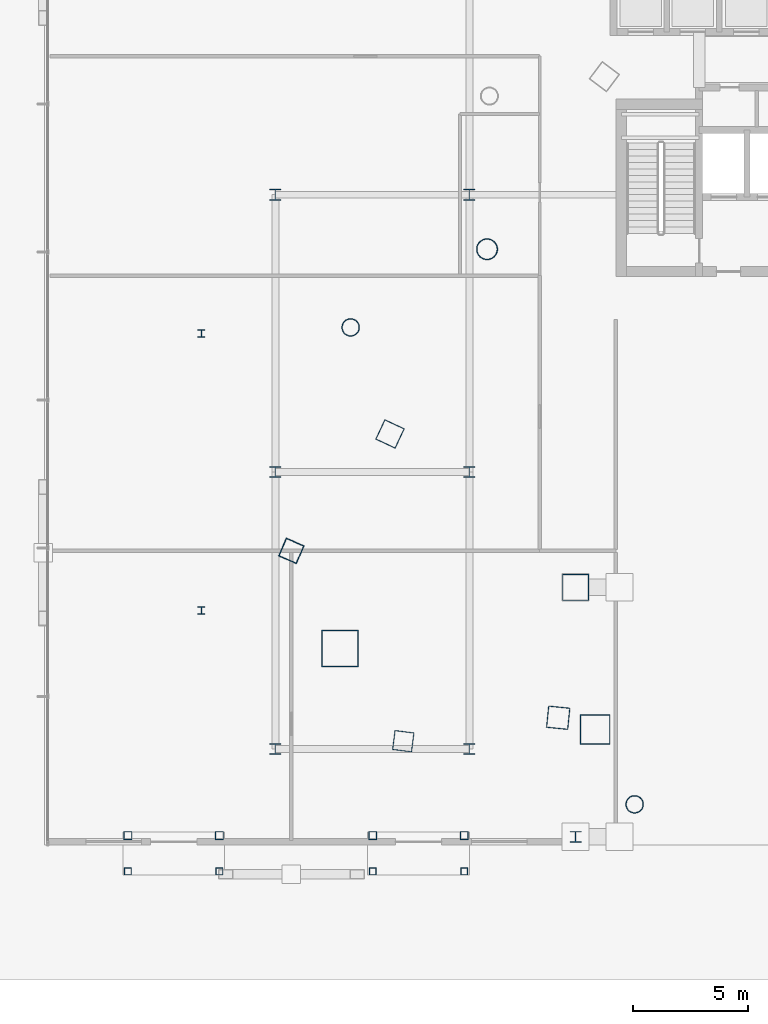
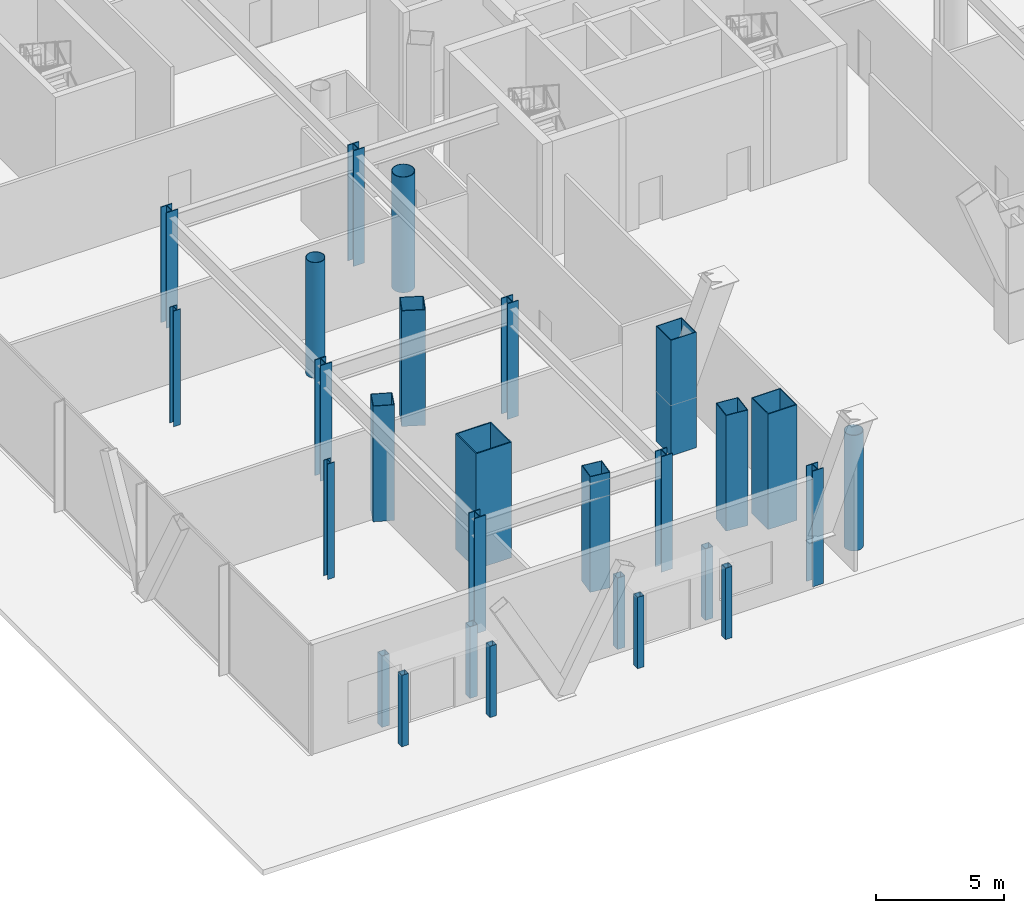
# One storey, part 1 of 38: 27 columns.
"""IFC4 building model written with IfcOpenShell, lengths in metres."""

from ifc_helpers import new_model, si_unit, direction, frame, origin, origin_2d, place, context, subcontext, project, spatial, hollow_rectangle, hollow_circle, i_section, extrude, material, material_profile, profile_set, type_object, element, save


model = new_model("IFC4")

# Units and contexts
model_context = context("Model", 3, precision=1e-05, world=origin(), true_north=direction((0.0, 1.0)))
body_context = subcontext(model_context, "Body", "Model", "MODEL_VIEW")
ifc_project = project(units=[si_unit("LENGTHUNIT", "METRE"), si_unit("AREAUNIT", "SQUARE_METRE"), si_unit("VOLUMEUNIT", "CUBIC_METRE"), si_unit("PLANEANGLEUNIT", "RADIAN"), si_unit("MASSUNIT", "GRAM", prefix="KILO")], contexts=[model_context])

# Site, building, storey
site_placement = place(None, origin())
site = spatial("IfcSite", under=ifc_project, at=site_placement, CompositionType="ELEMENT")
building_placement = place(site_placement, origin())
building = spatial("IfcBuilding", under=site, at=building_placement, Name="Orvanel Arch Residences", CompositionType="ELEMENT")
storey_placement = place(building_placement, origin())
storey = spatial("IfcBuildingStorey", under=building, at=storey_placement, Name="L00", CompositionType="ELEMENT", Elevation=0.0)

# Columns
ifc_material_1 = material(Name="Structural steel AS/NZS 1163 C450L0 (Grade 450)", Category="steel")
ifc_material_profile_1 = material_profile(ifc_material_1, hollow_circle(Radius=0.381103515625, WallThickness=0.02197265625, at=origin_2d()), Name="CHS762x22")
ifc_profile_set_1 = profile_set([ifc_material_profile_1], Name="Structural steel AS/NZS 1163 C450L0 (Grade 450)")
column_type_1 = type_object("IfcColumnType", Name="CC-762", PredefinedType="COLUMN", material=ifc_profile_set_1)
for number, where, z_axis, x_axis, name in (
    (1, (14.662109375, 24.256103515625, 0.0), (0.0, 0.0, 1.0), (1.0, 0.0, 0.0), "L00 Low-Rise Buttress Tube Column 02"),
    (2, (26.9580078125, 3.60498046875, 0.0), (0.0, 0.0, 1.0), (1.0, 0.0, 0.0), "L00 Low-Rise Buttress Tube Column 03"),
):
    element("IfcColumn", number, at=place(storey_placement, frame(where, z_axis=z_axis, x_axis=x_axis)), inside=storey, type_object=column_type_1, Name=name, PredefinedType="COLUMN", context=body_context, shape_type="SweptSolid", body=[
        extrude(hollow_circle(Radius=0.381103515625, WallThickness=0.02197265625, at=origin_2d()), origin(), (0.0, 0.0, 1.0), 5.5),
    ])
ifc_material_profile_2 = material_profile(ifc_material_1, hollow_circle(Radius=0.45703125, WallThickness=0.02490234375, at=origin_2d()), Name="CHS914x25")
ifc_profile_set_2 = profile_set([ifc_material_profile_2], Name="Structural steel AS/NZS 1163 C450L0 (Grade 450)")
column_type_2 = type_object("IfcColumnType", Name="CC-914", PredefinedType="COLUMN", material=ifc_profile_set_2)
column_1_placement = place(storey_placement, frame((20.569091796875, 27.64111328125, 0.0), z_axis=(0.0, 0.0, 1.0), x_axis=(1.0, 0.0, 0.0)))
element("IfcColumn", 3, at=column_1_placement, inside=storey, type_object=column_type_2, Name="L00 High-Rise Tube Column 02", PredefinedType="COLUMN", context=body_context, shape_type="SweptSolid", body=[
    extrude(hollow_circle(Radius=0.45703125, WallThickness=0.02490234375, at=origin_2d()), origin(), (0.0, 0.0, 1.0), 5.5),
])
ifc_material_2 = material(Name="Structural steel AS/NZS 3678 Grade 450", Category="steel")
ifc_material_profile_3 = material_profile(ifc_material_2, hollow_rectangle(XDim=1.14990234375, YDim=1.14990234375, WallThickness=0.035888671875, at=origin_2d()), Name="BOX1150x1150x36")
ifc_profile_set_3 = profile_set([ifc_material_profile_3], Name="Structural steel AS/NZS 3678 Grade 450")
column_type_3 = type_object("IfcColumnType", Name="MC-1150", PredefinedType="COLUMN", material=ifc_profile_set_3)
column_2_placement = place(storey_placement, frame((24.39990234375, 13.0, 0.0), z_axis=(0.0, 0.0, 1.0), x_axis=(1.0, 0.0, 0.0)))
element("IfcColumn", 4, at=column_2_placement, inside=storey, type_object=column_type_3, Name="L00 Arch Portal Pier MID W", PredefinedType="COLUMN", context=body_context, shape_type="SweptSolid", body=[
    extrude(hollow_rectangle(XDim=1.14990234375, YDim=1.14990234375, WallThickness=0.035888671875, at=origin_2d()), origin(), (0.0, 0.0, 1.0), 5.5),
])
ifc_material_profile_4 = material_profile(ifc_material_2, hollow_rectangle(XDim=1.300048828125, YDim=1.300048828125, WallThickness=0.0400390625, at=origin_2d()), Name="BOX1300x1300x40")
ifc_profile_set_4 = profile_set([ifc_material_profile_4], Name="Structural steel AS/NZS 3678 Grade 450")
column_type_4 = type_object("IfcColumnType", Name="MC-1300", PredefinedType="COLUMN", material=ifc_profile_set_4)
column_3_placement = place(storey_placement, frame((25.25, 6.843994140625, 0.0), z_axis=(0.0, 0.0, 1.0), x_axis=(1.0, 0.0, 0.0)))
element("IfcColumn", 5, at=column_3_placement, inside=storey, type_object=column_type_4, Name="L00 Arch Transfer Pier W", PredefinedType="COLUMN", context=body_context, shape_type="SweptSolid", body=[
    extrude(hollow_rectangle(XDim=1.300048828125, YDim=1.300048828125, WallThickness=0.0400390625, at=origin_2d()), origin(), (0.0, 0.0, 1.0), 5.5),
])
ifc_material_profile_5 = material_profile(ifc_material_2, hollow_rectangle(XDim=1.60009765625, YDim=1.60009765625, WallThickness=0.050048828125, at=origin_2d()), Name="BOX1600x1600x50")
ifc_profile_set_5 = profile_set([ifc_material_profile_5], Name="Structural steel AS/NZS 3678 Grade 450")
column_type_5 = type_object("IfcColumnType", Name="MC-1600", PredefinedType="COLUMN", material=ifc_profile_set_5)
column_4_placement = place(storey_placement, frame((14.198974609375, 10.35107421875, 0.0), z_axis=(0.0, 0.0, 1.0), x_axis=(1.0, 0.0, 0.0)))
element("IfcColumn", 6, at=column_4_placement, inside=storey, type_object=column_type_5, Name="L00 Corner Composite Mega-Column 2", PredefinedType="COLUMN", context=body_context, shape_type="SweptSolid", body=[
    extrude(hollow_rectangle(XDim=1.60009765625, YDim=1.60009765625, WallThickness=0.050048828125, at=origin_2d()), origin(), (0.0, 0.0, 1.0), 5.5),
])
ifc_material_3 = material(Name="Structural steel AS/NZS 1163 C350L0 (Grade 350)", Category="steel")
ifc_material_profile_6 = material_profile(ifc_material_3, hollow_rectangle(XDim=0.300048828125, YDim=0.300048828125, WallThickness=0.012451171875, at=origin_2d()), Name="SHS300x300x12.5")
ifc_profile_set_6 = profile_set([ifc_material_profile_6], Name="Structural steel AS/NZS 1163 C350L0 (Grade 350)")
column_type_6 = type_object("IfcColumnType", Name="OC-300SHS-EXT", PredefinedType="COLUMN", material=ifc_profile_set_6)
for number, where, z_axis, x_axis, name in (
    (7, (5.02001953125, 0.699951171875, 0.0), (0.0, 0.0, 1.0), (1.0, 0.0, 0.0), "L00 Canopy Front Post 01.1"),
    (8, (8.97998046875, 0.699951171875, 0.0), (0.0, 0.0, 1.0), (1.0, 0.0, 0.0), "L00 Canopy Front Post 01.2"),
    (9, (15.6201171875, 0.699951171875, 0.0), (0.0, 0.0, 1.0), (1.0, 0.0, 0.0), "L00 Canopy Front Post 02.1"),
    (10, (19.580078125, 0.699951171875, 0.0), (0.0, 0.0, 1.0), (1.0, 0.0, 0.0), "L00 Canopy Front Post 02.2"),
):
    element("IfcColumn", number, at=place(storey_placement, frame(where, z_axis=z_axis, x_axis=x_axis)), inside=storey, type_object=column_type_6, Name=name, PredefinedType="COLUMN", context=body_context, shape_type="SweptSolid", body=[
        extrude(hollow_rectangle(XDim=0.300048828125, YDim=0.300048828125, WallThickness=0.012451171875, at=origin_2d()), origin(), (0.0, 0.0, 1.0), 3.39990234375),
    ])
ifc_material_profile_7 = material_profile(ifc_material_3, hollow_rectangle(XDim=0.35009765625, YDim=0.35009765625, WallThickness=0.01611328125, at=origin_2d()), Name="SHS350x350x16")
ifc_profile_set_7 = profile_set([ifc_material_profile_7], Name="Structural steel AS/NZS 1163 C350L0 (Grade 350)")
column_type_7 = type_object("IfcColumnType", Name="OC-350SHS", PredefinedType="COLUMN", material=ifc_profile_set_7)
for number, where, z_axis, x_axis, name in (
    (11, (5.02001953125, 2.25, 0.0), (0.0, 0.0, 1.0), (1.0, 0.0, 0.0), "L00 Canopy Rear Support Column 01.1"),
    (12, (8.97998046875, 2.25, 0.0), (0.0, 0.0, 1.0), (1.0, 0.0, 0.0), "L00 Canopy Rear Support Column 01.2"),
    (13, (15.6201171875, 2.25, 0.0), (0.0, 0.0, 1.0), (1.0, 0.0, 0.0), "L00 Canopy Rear Support Column 02.1"),
    (14, (19.580078125, 2.25, 0.0), (0.0, 0.0, 1.0), (1.0, 0.0, 0.0), "L00 Canopy Rear Support Column 02.2"),
):
    element("IfcColumn", number, at=place(storey_placement, frame(where, z_axis=z_axis, x_axis=x_axis)), inside=storey, type_object=column_type_7, Name=name, PredefinedType="COLUMN", context=body_context, shape_type="SweptSolid", body=[
        extrude(hollow_rectangle(XDim=0.35009765625, YDim=0.35009765625, WallThickness=0.01611328125, at=origin_2d()), origin(), (0.0, 0.0, 1.0), 3.39990234375),
    ])
ifc_material_4 = material(Name="Structural steel AS/NZS 3679.1 Grade 300 (300 MPa)", Category="steel")
ifc_material_profile_8 = material_profile(ifc_material_4, i_section(OverallWidth=0.31103515625, OverallDepth=0.326904296875, WebThickness=0.015625, FlangeThickness=0.02490234375, at=origin_2d()), Name="310UC158")
ifc_profile_set_8 = profile_set([ifc_material_profile_8], Name="Structural steel AS/NZS 3679.1 Grade 300 (300 MPa)")
column_type_8 = type_object("IfcColumnType", Name="SC-310UC158", PredefinedType="COLUMN", material=ifc_profile_set_8)
for number, where, z_axis, x_axis, name in (
    (15, (8.199951171875, 12.0, 0.0), (0.0, 0.0, 1.0), (1.0, 0.0, 0.0), "L00 Auxiliary Podium Column 01"),
    (16, (8.199951171875, 24.0, 0.0), (0.0, 0.0, 1.0), (1.0, 0.0, 0.0), "L00 Auxiliary Podium Column 02"),
):
    element("IfcColumn", number, at=place(storey_placement, frame(where, z_axis=z_axis, x_axis=x_axis)), inside=storey, type_object=column_type_8, Name=name, PredefinedType="COLUMN", context=body_context, shape_type="SweptSolid", body=[
        extrude(i_section(OverallWidth=0.31103515625, OverallDepth=0.326904296875, WebThickness=0.015625, FlangeThickness=0.02490234375, at=origin_2d()), origin(), (0.0, 0.0, 1.0), 5.5),
    ])
ifc_material_profile_9 = material_profile(ifc_material_4, i_section(OverallWidth=0.5, OverallDepth=0.47998046875, WebThickness=0.028076171875, FlangeThickness=0.0400390625, at=origin_2d()), Name="500WC440")
ifc_profile_set_9 = profile_set([ifc_material_profile_9], Name="Structural steel AS/NZS 3679.1 Grade 300 (300 MPa)")
column_type_9 = type_object("IfcColumnType", Name="SC-500WC", PredefinedType="COLUMN", material=ifc_profile_set_9)
for number, where, z_axis, x_axis, name in (
    (17, (11.39990234375, 6.0, 0.0), (0.0, 0.0, 1.0), (1.0, 0.0, 0.0), "L00 Podium Grid Column 01"),
    (18, (11.39990234375, 18.0, 0.0), (0.0, 0.0, 1.0), (1.0, 0.0, 0.0), "L00 Podium Grid Column 02"),
    (19, (11.39990234375, 30.0, 0.0), (0.0, 0.0, 1.0), (1.0, 0.0, 0.0), "L00 Podium Grid Column 03"),
    (20, (19.800048828125, 6.0, 0.0), (0.0, 0.0, 1.0), (1.0, 0.0, 0.0), "L00 Podium Grid Column 04"),
    (21, (19.800048828125, 18.0, 0.0), (0.0, 0.0, 1.0), (1.0, 0.0, 0.0), "L00 Podium Grid Column 05"),
    (22, (19.800048828125, 30.0, 0.0), (0.0, 0.0, 1.0), (1.0, 0.0, 0.0), "L00 Podium Grid Column 06"),
):
    element("IfcColumn", number, at=place(storey_placement, frame(where, z_axis=z_axis, x_axis=x_axis)), inside=storey, type_object=column_type_9, Name=name, PredefinedType="COLUMN", context=body_context, shape_type="SweptSolid", body=[
        extrude(i_section(OverallWidth=0.5, OverallDepth=0.47998046875, WebThickness=0.028076171875, FlangeThickness=0.0400390625, at=origin_2d()), origin(), (0.0, 0.0, 1.0), 5.5),
    ])
ifc_material_profile_10 = material_profile(ifc_material_4, i_section(OverallWidth=0.5, OverallDepth=0.47998046875, WebThickness=0.028076171875, FlangeThickness=0.0400390625, at=origin_2d()), Name="500WC440")
ifc_profile_set_10 = profile_set([ifc_material_profile_10], Name="Structural steel AS/NZS 3679.1 Grade 300 (300 MPa)")
column_type_10 = type_object("IfcColumnType", Name="SC-500WC-EXT", PredefinedType="COLUMN", material=ifc_profile_set_10)
column_5_placement = place(storey_placement, frame((24.39990234375, 2.199951171875, 0.0), z_axis=(0.0, 0.0, 1.0), x_axis=(1.0, 0.0, 0.0)))
element("IfcColumn", 23, at=column_5_placement, inside=storey, type_object=column_type_10, Name="L00 Arch Portal Pier SOUTH W", PredefinedType="COLUMN", context=body_context, shape_type="SweptSolid", body=[
    extrude(i_section(OverallWidth=0.5, OverallDepth=0.47998046875, WebThickness=0.028076171875, FlangeThickness=0.0400390625, at=origin_2d()), origin(), (0.0, 0.0, 1.0), 5.5),
])
ifc_material_5 = material(Name="Structural steel AS/NZS 3678 Grade 350", Category="steel")
ifc_material_profile_11 = material_profile(ifc_material_5, hollow_rectangle(XDim=0.85009765625, YDim=0.85009765625, WallThickness=0.028076171875, at=origin_2d()), Name="BOX850x850x28")
ifc_profile_set_11 = profile_set([ifc_material_profile_11], Name="Structural steel AS/NZS 3678 Grade 350")
column_type_11 = type_object("IfcColumnType", Name="TC-850", PredefinedType="COLUMN", material=ifc_profile_set_11)
for number, where, z_axis, x_axis, name in (
    (24, (12.094970703125, 14.580078125, 0.0), (0.0, 0.0, 1.0), (0.397147890635, 0.917754625684, 0.0), "L00 Mid-Rise Buttress Tube Column 02"),
    (25, (16.94091796875, 6.339111328125, 0.0), (0.0, 0.0, 1.0), (-0.99189444259, 0.127064608601, 0.0), "L00 Mid-Rise Buttress Tube Column 03"),
):
    element("IfcColumn", number, at=place(storey_placement, frame(where, z_axis=z_axis, x_axis=x_axis)), inside=storey, type_object=column_type_11, Name=name, PredefinedType="COLUMN", context=body_context, shape_type="SweptSolid", body=[
        extrude(hollow_rectangle(XDim=0.85009765625, YDim=0.85009765625, WallThickness=0.028076171875, at=origin_2d()), origin(), (0.0, 0.0, 1.0), 5.5),
    ])
ifc_material_profile_12 = material_profile(ifc_material_5, hollow_rectangle(XDim=0.949951171875, YDim=0.949951171875, WallThickness=0.031982421875, at=origin_2d()), Name="BOX950x950x32")
ifc_profile_set_12 = profile_set([ifc_material_profile_12], Name="Structural steel AS/NZS 3678 Grade 350")
column_type_12 = type_object("IfcColumnType", Name="TC-950", PredefinedType="COLUMN", material=ifc_profile_set_12)
for number, where, z_axis, x_axis, name in (
    (26, (16.366943359375, 19.64208984375, 0.0), (0.0, 0.0, 1.0), (0.422618261741, 0.906307787037, 0.0), "L00 High-Rise Tube Column 03"),
    (27, (23.64892578125, 7.35498046875, 0.0), (0.0, 0.0, 1.0), (-0.994880708829, 0.101056297183, 0.0), "L00 High-Rise Tube Column 04"),
):
    element("IfcColumn", number, at=place(storey_placement, frame(where, z_axis=z_axis, x_axis=x_axis)), inside=storey, type_object=column_type_12, Name=name, PredefinedType="COLUMN", context=body_context, shape_type="SweptSolid", body=[
        extrude(hollow_rectangle(XDim=0.949951171875, YDim=0.949951171875, WallThickness=0.031982421875, at=origin_2d()), origin(), (0.0, 0.0, 1.0), 5.5),
    ])

save(model, "model.ifc")
